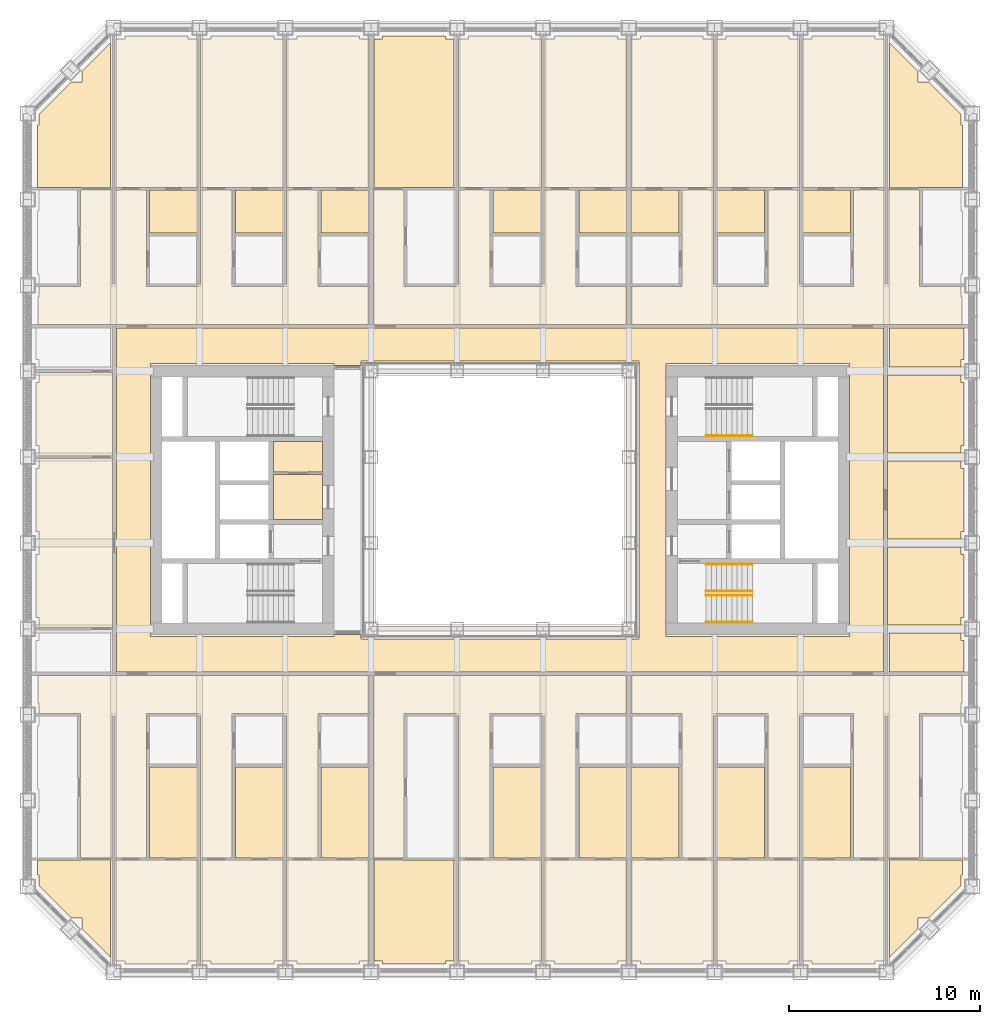
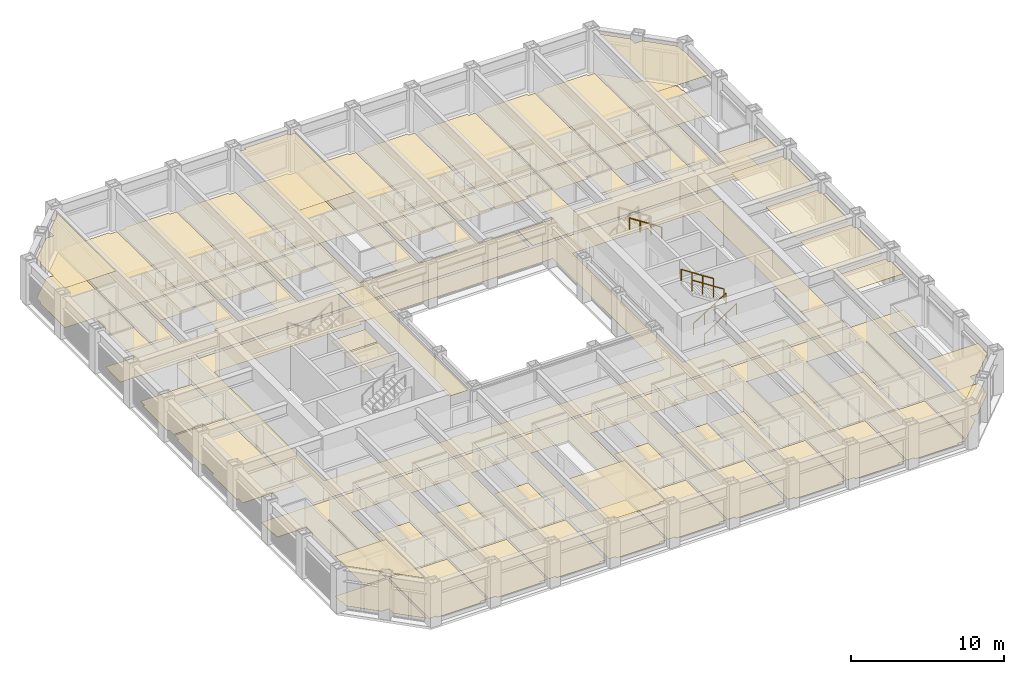
# One storey, part 20 of 21: 5 railings, 4 coverings.
"""IFC4 building model written with IfcOpenShell, lengths in metres."""

import ifcopenshell
import ifcopenshell.guid

model = None  # the IFC model being written
_history = None  # IfcOwnerHistory: only IFC2X3 demands one
_inside = {}  # id of a spatial element -> (the spatial element, [elements in it])
_under = {}  # id of a project, library or spatial element -> (it, [spatial elements below it])
_declared = {}  # id of a project -> (the project, [libraries it declares])
_typed = {}  # id of a type object -> (the type object, [elements of that type])
_made_of = {}  # id of a material, layer set ... -> (it, [elements and type objects made of it])


def new_model(schema):
    """Start an empty IFC model of exactly this schema.

    Asked for "IFC4X3", IfcOpenShell would pick the latest addendum, in which some entities
    have other attributes; the version numbers below select the first issue.
    IFC2X3 requires an IfcOwnerHistory on every rooted entity: one is made here for all.
    """
    global model, _history
    if schema == "IFC4X3":
        model = ifcopenshell.file(schema_version=(4, 3, 0, 0))
    else:
        model = ifcopenshell.file(schema=schema)
    _inside.clear()
    _under.clear()
    _declared.clear()
    _typed.clear()
    _made_of.clear()
    _history = None
    if model.schema == "IFC2X3":
        org = make("IfcOrganization", Name="unknown")
        user = make(
            "IfcPersonAndOrganization",
            ThePerson=make("IfcPerson", FamilyName="unknown"),
            TheOrganization=org,
        )
        app = make(
            "IfcApplication",
            ApplicationDeveloper=org,
            Version="unknown",
            ApplicationFullName="unknown",
            ApplicationIdentifier="unknown",
        )
        _history = make(
            "IfcOwnerHistory",
            OwningUser=user,
            OwningApplication=app,
            ChangeAction="ADDED",
            CreationDate=0,
        )
    return model


def make(cls, **values):
    """One entity of the class cls with the attributes given. An attribute that is None is left unset."""
    return model.create_entity(
        cls, **{name: value for name, value in values.items() if value is not None}
    )


def rooted(cls, **values):
    """An entity with a GlobalId (a new one), such as an element, a storey or a relation."""
    return make(cls, GlobalId=ifcopenshell.guid.new(), OwnerHistory=_history, **values)


def si_unit(unit_type, name, prefix=None):
    """IfcSIUnit, for example si_unit("LENGTHUNIT", "METRE", prefix="MILLI")."""
    return make("IfcSIUnit", UnitType=unit_type, Prefix=prefix, Name=name)


def assignment(units):
    """IfcUnitAssignment: the units of a project."""
    return None if units is None else make("IfcUnitAssignment", Units=units)


def point(xyz):
    """IfcCartesianPoint."""
    return None if xyz is None else make("IfcCartesianPoint", Coordinates=xyz)


def direction(xyz):
    """IfcDirection."""
    return None if xyz is None else make("IfcDirection", DirectionRatios=xyz)


def frame(location, z_axis=None, x_axis=None):
    """IfcAxis2Placement3D, a coordinate frame: its origin and axes. An axis left out is left unset."""
    return make(
        "IfcAxis2Placement3D",
        Location=point(location),
        Axis=direction(z_axis),
        RefDirection=direction(x_axis),
    )


def frame_2d(location, x_axis=None):
    """IfcAxis2Placement2D, a coordinate frame in the plane: its origin and x axis."""
    return make(
        "IfcAxis2Placement2D", Location=point(location), RefDirection=direction(x_axis)
    )


def origin():
    """The frame at (0, 0, 0) with its axes left unset."""
    return frame((0.0, 0.0, 0.0))


def origin_2d():
    """The frame at (0, 0) in the plane with its x axis left unset."""
    return frame_2d((0.0, 0.0))


def place(relative_to, where):
    """IfcLocalPlacement: puts the frame where relative to a parent placement (None: the world)."""
    return make(
        "IfcLocalPlacement", PlacementRelTo=relative_to, RelativePlacement=where
    )


def context(
    kind, dimensions, precision=None, world=None, true_north=None, identifier=None
):
    """IfcGeometricRepresentationContext, for example the 3D "Model" context."""
    return make(
        "IfcGeometricRepresentationContext",
        ContextIdentifier=identifier,
        ContextType=kind,
        CoordinateSpaceDimension=dimensions,
        Precision=precision,
        WorldCoordinateSystem=world,
        TrueNorth=true_north,
    )


def subcontext(parent, identifier, kind, view, scale=None):
    """IfcGeometricRepresentationSubContext, for example "Body" below "Model"."""
    return make(
        "IfcGeometricRepresentationSubContext",
        ContextIdentifier=identifier,
        ContextType=kind,
        ParentContext=parent,
        TargetScale=scale,
        TargetView=view,
    )


def project(units=None, contexts=None):
    """IfcProject with its units and contexts."""
    return rooted(
        "IfcProject",
        Name="project",
        RepresentationContexts=contexts,
        UnitsInContext=assignment(units),
    )


def spatial(cls, under=None, at=None, **own):
    """A site, building, storey or space (cls), placed at a placement, below another one or the project."""
    s = rooted(cls, ObjectPlacement=at, **own)
    if under is not None:
        _under.setdefault(under.id(), (under, []))[1].append(s)
    return s


def point_list(points):
    """IfcCartesianPointList2D or 3D."""
    cls = (
        "IfcCartesianPointList2D" if len(points[0]) == 2 else "IfcCartesianPointList3D"
    )
    return make(cls, CoordList=points)


def line(*indices):
    """IfcLineIndex: a straight run through numbered points of an indexed curve."""
    return model.create_entity("IfcLineIndex", indices)


def indexed_curve(points, segments=None, self_intersect=None):
    """IfcIndexedPolyCurve: lines and arcs through numbered points (the first is 1)."""
    return make(
        "IfcIndexedPolyCurve",
        Points=point_list(points),
        Segments=segments,
        SelfIntersect=self_intersect,
    )


def profile(cls, at=None, kind="AREA", **sizes):
    """A parametric profile (cls). Its sizes go by their IFC names, for example OverallWidth=200.0."""
    return make(cls, ProfileType=kind, Position=at, **sizes)


def circle(**sizes):
    """IfcCircleProfileDef."""
    return profile("IfcCircleProfileDef", **sizes)


def outline(outer, holes=None, kind="AREA"):
    """IfcArbitraryClosedProfileDef: a profile drawn as a closed curve; with holes, ...WithVoids."""
    if holes is None:
        return make("IfcArbitraryClosedProfileDef", ProfileType=kind, OuterCurve=outer)
    return make(
        "IfcArbitraryProfileDefWithVoids",
        ProfileType=kind,
        OuterCurve=outer,
        InnerCurves=holes,
    )


def extrude(swept, where, along, depth):
    """IfcExtrudedAreaSolid: the profile swept, set in the frame where, extruded along a direction by depth."""
    return make(
        "IfcExtrudedAreaSolid",
        SweptArea=swept,
        Position=where,
        ExtrudedDirection=direction(along),
        Depth=depth,
    )


def shape(context_of_items, identifier, shape_type, items):
    """IfcShapeRepresentation: the items that make up one representation, for example the "Body"."""
    return make(
        "IfcShapeRepresentation",
        ContextOfItems=context_of_items,
        RepresentationIdentifier=identifier,
        RepresentationType=shape_type,
        Items=items,
    )


def material(Name=None, Category=None):
    """IfcMaterial."""
    return make("IfcMaterial", Name=Name, Category=Category)


def layer(
    of_material, thickness, ventilated=None, Name=None, Category=None, Priority=None
):
    """IfcMaterialLayer: one layer of a wall or slab, of a material (None: an air gap)."""
    return make(
        "IfcMaterialLayer",
        Material=of_material,
        LayerThickness=thickness,
        IsVentilated=ventilated,
        Name=Name,
        Category=Category,
        Priority=Priority,
    )


def layer_set(layers, Name=None):
    """IfcMaterialLayerSet."""
    return make("IfcMaterialLayerSet", MaterialLayers=layers, LayerSetName=Name)


def made_of(thing, what):
    """Note that an element or type object is made of a material, layer set ...; save() writes the relation."""
    if what is not None:
        _made_of.setdefault(what.id(), (what, []))[1].append(thing)
    return thing


def type_object(cls, material=None, **own):
    """A type object (cls), such as IfcWallType, which elements share."""
    return made_of(rooted(cls, **own), material)


def element(
    cls,
    number,
    at=None,
    inside=None,
    cuts=None,
    type_object=None,
    material=None,
    context=None,
    identifier="Body",
    shape_type=None,
    held_by="IfcProductDefinitionShape",
    body=None,
    shapes=None,
    **own,
):
    """One element of the class cls, such as IfcWall. Its Tag is "e" and its number.

    at: its placement. inside: the storey or other place that contains it. cuts: it is an
    opening in that element (IfcRelVoidsElement). A single representation is given by context,
    identifier, shape_type and body (its items); several are given by shapes. held_by: the class
    of the entity that holds the representations. save() writes the other relations.
    """
    e = rooted(cls, Tag="e%d" % number, ObjectPlacement=at, **own)
    if body is not None:
        shapes = [shape(context, identifier, shape_type, body)]
    if shapes is not None:
        e.Representation = make(held_by, Representations=shapes)
    if inside is not None:
        _inside.setdefault(inside.id(), (inside, []))[1].append(e)
    if cuts is not None:
        rooted(
            "IfcRelVoidsElement", RelatingBuildingElement=cuts, RelatedOpeningElement=e
        )
    if type_object is not None:
        _typed.setdefault(type_object.id(), (type_object, []))[1].append(e)
    return made_of(e, material)


def aggregate(whole, parts):
    """IfcRelAggregates: a whole, such as a stair, and the parts it consists of."""
    return rooted("IfcRelAggregates", RelatingObject=whole, RelatedObjects=parts)


def save(model, path):
    """Write the relations noted so far, then the file.

    IfcRelAggregates (storeys below a building ...), IfcRelContainedInSpatialStructure (elements
    in a storey), IfcRelDefinesByType, IfcRelAssociatesMaterial and IfcRelDeclares: one each for
    every whole, place, type object, material and project.
    """
    for whole, parts in _under.values():
        aggregate(whole, parts)
    for where, things in _inside.values():
        rooted(
            "IfcRelContainedInSpatialStructure",
            RelatedElements=things,
            RelatingStructure=where,
        )
    for kind, things in _typed.values():
        rooted("IfcRelDefinesByType", RelatedObjects=things, RelatingType=kind)
    for what, things in _made_of.values():
        rooted("IfcRelAssociatesMaterial", RelatedObjects=things, RelatingMaterial=what)
    for by, libraries in _declared.values():
        rooted("IfcRelDeclares", RelatingContext=by, RelatedDefinitions=libraries)
    model.write(path)


model = new_model("IFC4")

# Units and contexts
model_context = context("Model", 3, precision=1e-05, world=origin(), true_north=direction((0.0, 1.0)))
body_context = subcontext(model_context, "Body", "Model", "MODEL_VIEW")
ifc_project = project(units=[si_unit("LENGTHUNIT", "METRE"), si_unit("AREAUNIT", "SQUARE_METRE"), si_unit("VOLUMEUNIT", "CUBIC_METRE"), si_unit("PLANEANGLEUNIT", "RADIAN"), si_unit("MASSUNIT", "GRAM", prefix="KILO")], contexts=[model_context])

# Site, building, storey
site_placement = place(None, origin())
site = spatial("IfcSite", under=ifc_project, at=site_placement, CompositionType="ELEMENT")
building_placement = place(site_placement, origin())
building = spatial("IfcBuilding", under=site, at=building_placement, Name="Msasa Ring Tower", CompositionType="ELEMENT")
storey_placement = place(building_placement, frame((0.0, 0.0, 89.5)))
storey = spatial("IfcBuildingStorey", under=building, at=storey_placement, Name="L23", CompositionType="ELEMENT", Elevation=89.5)

# Coverings
ifc_material_1 = material(Name="Gypsum plasterboard on a steel suspension grid", Category="steel")
ifc_layer_1 = layer(ifc_material_1, 0.014892578125)
ifc_layer_set_1 = layer_set([ifc_layer_1], Name="C1 SUSPENDED PLASTERBOARD CEILING 15")
covering_type_1 = type_object("IfcCoveringType", Name="C1 SUSPENDED PLASTERBOARD CEILING 15", PredefinedType="CEILING", material=ifc_layer_set_1)
covering_1_placement = place(storey_placement, frame((0.0, 0.0, 3.175048828125)))
element("IfcCovering", 1, at=covering_1_placement, inside=storey, type_object=covering_type_1, Name="Suspended Plasterboard Ceiling 15 public rooms L23", PredefinedType="CEILING", context=body_context, shape_type="SweptSolid", body=[
    extrude(outline(indexed_curve([(-24.23193359375, -18.867919921875), (-20.404296875, -18.867919921875), (-20.404296875, -23.95849609375), (-21.8994140625, -22.46337890625), (-21.8994140625, -21.8994140625), (-22.46337890625, -21.8994140625), (-24.1494140625, -20.21337890625), (-24.1494140625, -19.6494140625), (-24.23193359375, -19.6494140625)], segments=[line(1, 2, 3, 4, 5, 6, 7, 8, 9, 1)], self_intersect=False)), origin(), (0.0, 0.0, 1.0), 0.014892578125),
    extrude(outline(indexed_curve([(-24.23193359375, 16.367919921875), (-24.23193359375, 19.6494140625), (-24.1494140625, 19.6494140625), (-24.1494140625, 20.21337890625), (-22.46337890625, 21.8994140625), (-21.8994140625, 21.8994140625), (-21.8994140625, 22.46337890625), (-20.404296875, 23.95849609375), (-20.404296875, 16.367919921875)], segments=[line(1, 2, 3, 4, 5, 6, 7, 8, 9, 1)], self_intersect=False)), origin(), (0.0, 0.0, 1.0), 0.014892578125),
    extrude(outline(indexed_curve([(-8.699462890625, -6.849609375), (-8.699462890625, 6.849609375), (-7.280029296875, 6.849609375), (-7.280029296875, -6.849609375)], segments=[line(1, 2, 3, 4, 1)], self_intersect=False)), origin(), (0.0, 0.0, 1.0), 0.014892578125),
    extrude(outline(indexed_curve([(-6.1494140625, -24.299560546875), (-6.1494140625, -24.1494140625), (-6.595703125, -24.1494140625), (-6.595703125, -18.867919921875), (-2.404296875, -18.867919921875), (-2.404296875, -24.1494140625), (-2.8505859375, -24.1494140625), (-2.8505859375, -24.299560546875)], segments=[line(1, 2, 3, 4, 5, 6, 7, 8, 1)], self_intersect=False)), origin(), (0.0, 0.0, 1.0), 0.014892578125),
    extrude(outline(indexed_curve([(-6.595703125, 16.367919921875), (-6.595703125, 24.1494140625), (-6.1494140625, 24.1494140625), (-6.1494140625, 24.299560546875), (-2.8505859375, 24.299560546875), (-2.8505859375, 24.1494140625), (-2.404296875, 24.1494140625), (-2.404296875, 16.367919921875)], segments=[line(1, 2, 3, 4, 5, 6, 7, 8, 1)], self_intersect=False)), origin(), (0.0, 0.0, 1.0), 0.014892578125),
    extrude(outline(indexed_curve([(24.23193359375, -18.867919921875), (24.23193359375, -19.6494140625), (24.1494140625, -19.6494140625), (24.1494140625, -20.21337890625), (22.46337890625, -21.8994140625), (21.8994140625, -21.8994140625), (21.8994140625, -22.46337890625), (20.404296875, -23.95849609375), (20.404296875, -18.867919921875)], segments=[line(1, 2, 3, 4, 5, 6, 7, 8, 9, 1)], self_intersect=False)), origin(), (0.0, 0.0, 1.0), 0.014892578125),
    extrude(outline(indexed_curve([(24.23193359375, 16.367919921875), (20.404296875, 16.367919921875), (20.404296875, 23.95849609375), (21.8994140625, 22.46337890625), (21.8994140625, 21.8994140625), (22.46337890625, 21.8994140625), (24.1494140625, 20.21337890625), (24.1494140625, 19.6494140625), (24.23193359375, 19.6494140625)], segments=[line(1, 2, 3, 4, 5, 6, 7, 8, 9, 1)], self_intersect=False)), origin(), (0.0, 0.0, 1.0), 0.014892578125),
])
ifc_material_2 = material(Name="Mineral fibre ceiling tiles on an exposed steel grid", Category="steel")
ifc_layer_2 = layer(ifc_material_2, 0.02001953125)
ifc_layer_set_2 = layer_set([ifc_layer_2], Name="C3 ACOUSTIC MINERAL FIBRE TILE CEILING 20")
covering_type_2 = type_object("IfcCoveringType", Name="C3 ACOUSTIC MINERAL FIBRE TILE CEILING 20", PredefinedType="CEILING", material=ifc_layer_set_2)
covering_2_placement = place(storey_placement, frame((0.0, 0.0, 2.699951171875)))
element("IfcCovering", 2, at=covering_2_placement, inside=storey, type_object=covering_type_2, Name="Acoustic Mineral Fibre Tile Ceiling 20 L23", PredefinedType="CEILING", context=body_context, shape_type="SweptSolid", body=[
    extrude(outline(indexed_curve([(-9.300537109375, -1.0244140625), (-11.87451171875, -1.0244140625), (-11.87451171875, 1.344482421875), (-9.300537109375, 1.344482421875)], segments=[line(1, 2, 3, 4, 1)], self_intersect=False)), origin(), (0.0, 0.0, 1.0), 0.02001953125),
    extrude(outline(indexed_curve([(-9.300537109375, 1.45556640625), (-11.87451171875, 1.45556640625), (-11.87451171875, 3.074462890625), (-9.300537109375, 3.074462890625)], segments=[line(1, 2, 3, 4, 1)], self_intersect=False)), origin(), (0.0, 0.0, 1.0), 0.02001953125),
    extrude(outline(indexed_curve([(20.300537109375, -2.460693359375), (24.1494140625, -2.460693359375), (24.1494140625, -2.8505859375), (24.299560546875, -2.8505859375), (24.299560546875, -6.1494140625), (24.1494140625, -6.1494140625), (24.1494140625, -6.539306640625), (20.300537109375, -6.539306640625)], segments=[line(1, 2, 3, 4, 5, 6, 7, 8, 1)], self_intersect=False)), origin(), (0.0, 0.0, 1.0), 0.02001953125),
    extrude(outline(indexed_curve([(20.300537109375, 2.039306640625), (24.1494140625, 2.039306640625), (24.1494140625, 1.6494140625), (24.299560546875, 1.6494140625), (24.299560546875, -1.6494140625), (24.1494140625, -1.6494140625), (24.1494140625, -2.039306640625), (20.300537109375, -2.039306640625)], segments=[line(1, 2, 3, 4, 5, 6, 7, 8, 1)], self_intersect=False)), origin(), (0.0, 0.0, 1.0), 0.02001953125),
    extrude(outline(indexed_curve([(20.300537109375, 6.539306640625), (24.1494140625, 6.539306640625), (24.1494140625, 6.1494140625), (24.299560546875, 6.1494140625), (24.299560546875, 2.8505859375), (24.1494140625, 2.8505859375), (24.1494140625, 2.460693359375), (20.300537109375, 2.460693359375)], segments=[line(1, 2, 3, 4, 5, 6, 7, 8, 1)], self_intersect=False)), origin(), (0.0, 0.0, 1.0), 0.02001953125),
    extrude(outline(indexed_curve([(24.299560546875, -8.99951171875), (20.404296875, -8.99951171875), (20.404296875, -6.960693359375), (24.1494140625, -6.960693359375), (24.1494140625, -7.3505859375), (24.299560546875, -7.3505859375)], segments=[line(1, 2, 3, 4, 5, 6, 1)], self_intersect=False)), origin(), (0.0, 0.0, 1.0), 0.02001953125),
    extrude(outline(indexed_curve([(24.299560546875, 8.99951171875), (24.299560546875, 7.3505859375), (24.1494140625, 7.3505859375), (24.1494140625, 6.960693359375), (20.404296875, 6.960693359375), (20.404296875, 8.99951171875)], segments=[line(1, 2, 3, 4, 5, 6, 1)], self_intersect=False)), origin(), (0.0, 0.0, 1.0), 0.02001953125),
])
ifc_material_3 = material(Name="Wool-blend carpet on felt underlay", Category="textile")
ifc_layer_3 = layer(ifc_material_3, 0.011962890625)
ifc_layer_set_3 = layer_set([ifc_layer_3], Name="F2 CARPET ON UNDERLAY 12")
covering_type_3 = type_object("IfcCoveringType", Name="F2 CARPET ON UNDERLAY 12", PredefinedType="FLOORING", material=ifc_layer_set_3)
covering_3_placement = place(storey_placement, origin())
element("IfcCovering", 3, at=covering_3_placement, inside=storey, type_object=covering_type_3, Name="Carpet On Underlay 12 L23", PredefinedType="FLOORING", context=body_context, shape_type="SweptSolid", body=[
    extrude(outline(indexed_curve([(-20.318115234375, -24.044921875), (-21.8994140625, -22.46337890625), (-21.8994140625, -21.8994140625), (-22.46337890625, -21.8994140625), (-24.1494140625, -20.21337890625), (-24.1494140625, -19.6494140625), (-24.23193359375, -19.6494140625), (-24.23193359375, -18.87548828125), (-20.318115234375, -18.87548828125)], segments=[line(1, 2, 3, 4, 5, 6, 7, 8, 9, 1)], self_intersect=False)), origin(), (0.0, 0.0, 1.0), 0.011962890625),
    extrude(outline(indexed_curve([(-22.46337890625, 21.8994140625), (-21.8994140625, 21.8994140625), (-21.8994140625, 22.46337890625), (-20.318115234375, 24.044921875), (-20.318115234375, 16.37548828125), (-24.23193359375, 16.37548828125), (-24.23193359375, 19.6494140625), (-24.1494140625, 19.6494140625), (-24.1494140625, 20.21337890625)], segments=[line(1, 2, 3, 4, 5, 6, 7, 8, 9, 1)], self_intersect=False)), origin(), (0.0, 0.0, 1.0), 0.011962890625),
    extrude(outline(indexed_curve([(-20.099609375, -8.99951171875), (-20.099609375, 8.99951171875), (20.099609375, 8.99951171875), (20.099609375, -8.99951171875)], segments=[line(1, 2, 3, 4, 1)], self_intersect=False), holes=[indexed_curve([(8.699462890625, -7.150390625), (18.300537109375, -7.150390625), (18.300537109375, 7.150390625), (8.699462890625, 7.150390625)], segments=[line(1, 2, 3, 4, 1)], self_intersect=False), indexed_curve([(-8.699462890625, 7.150390625), (-18.300537109375, 7.150390625), (-18.300537109375, -7.150390625), (-8.699462890625, -7.150390625), (-8.699462890625, -7.050537109375), (-7.280029296875, -7.050537109375), (-7.275390625, -7.275390625), (-7.22998046875, -7.280029296875), (7.275390625, -7.275390625), (7.275390625, 7.275390625), (-7.22998046875, 7.280029296875), (-7.275390625, 7.275390625), (-7.280029296875, 7.050537109375), (-8.699462890625, 7.050537109375)], segments=[line(1, 2, 3, 4, 5, 6, 7, 8, 9, 10, 11, 12, 13, 14, 1)], self_intersect=False)]), origin(), (0.0, 0.0, 1.0), 0.011962890625),
    extrude(outline(indexed_curve([(-15.818115234375, -13.992919921875), (-15.818115234375, -18.74951171875), (-18.369384765625, -18.74951171875), (-18.369384765625, -13.992919921875)], segments=[line(1, 2, 3, 4, 1)], self_intersect=False)), origin(), (0.0, 0.0, 1.0), 0.011962890625),
    extrude(outline(indexed_curve([(-15.818115234375, 13.992919921875), (-18.369384765625, 13.992919921875), (-18.369384765625, 16.24951171875), (-15.818115234375, 16.24951171875)], segments=[line(1, 2, 3, 4, 1)], self_intersect=False)), origin(), (0.0, 0.0, 1.0), 0.011962890625),
    extrude(outline(indexed_curve([(-11.318115234375, -18.74951171875), (-13.869384765625, -18.74951171875), (-13.869384765625, -13.992919921875), (-11.318115234375, -13.992919921875)], segments=[line(1, 2, 3, 4, 1)], self_intersect=False)), origin(), (0.0, 0.0, 1.0), 0.011962890625),
    extrude(outline(indexed_curve([(-11.318115234375, 13.992919921875), (-13.869384765625, 13.992919921875), (-13.869384765625, 16.24951171875), (-11.318115234375, 16.24951171875)], segments=[line(1, 2, 3, 4, 1)], self_intersect=False)), origin(), (0.0, 0.0, 1.0), 0.011962890625),
    extrude(outline(indexed_curve([(-9.369384765625, -13.992919921875), (-6.87548828125, -13.992919921875), (-6.87548828125, -18.74951171875), (-9.369384765625, -18.74951171875)], segments=[line(1, 2, 3, 4, 1)], self_intersect=False)), origin(), (0.0, 0.0, 1.0), 0.011962890625),
    extrude(outline(indexed_curve([(-9.369384765625, 13.992919921875), (-9.369384765625, 16.24951171875), (-6.87548828125, 16.24951171875), (-6.87548828125, 13.992919921875)], segments=[line(1, 2, 3, 4, 1)], self_intersect=False)), origin(), (0.0, 0.0, 1.0), 0.011962890625),
    extrude(outline(indexed_curve([(-2.318115234375, -24.1494140625), (-2.8505859375, -24.1494140625), (-2.8505859375, -24.299560546875), (-6.1494140625, -24.299560546875), (-6.1494140625, -24.1494140625), (-6.62451171875, -24.1494140625), (-6.62451171875, -18.87548828125), (-2.318115234375, -18.87548828125)], segments=[line(1, 2, 3, 4, 5, 6, 7, 8, 1)], self_intersect=False)), origin(), (0.0, 0.0, 1.0), 0.011962890625),
    extrude(outline(indexed_curve([(-2.8505859375, 24.299560546875), (-2.8505859375, 24.1494140625), (-2.318115234375, 24.1494140625), (-2.318115234375, 16.37548828125), (-6.62451171875, 16.37548828125), (-6.62451171875, 24.1494140625), (-6.1494140625, 24.1494140625), (-6.1494140625, 24.299560546875)], segments=[line(1, 2, 3, 4, 5, 6, 7, 8, 1)], self_intersect=False)), origin(), (0.0, 0.0, 1.0), 0.011962890625),
    extrude(outline(indexed_curve([(2.181884765625, -18.74951171875), (-0.369384765625, -18.74951171875), (-0.369384765625, -13.992919921875), (2.181884765625, -13.992919921875)], segments=[line(1, 2, 3, 4, 1)], self_intersect=False)), origin(), (0.0, 0.0, 1.0), 0.011962890625),
    extrude(outline(indexed_curve([(2.181884765625, 13.992919921875), (-0.369384765625, 13.992919921875), (-0.369384765625, 16.24951171875), (2.181884765625, 16.24951171875)], segments=[line(1, 2, 3, 4, 1)], self_intersect=False)), origin(), (0.0, 0.0, 1.0), 0.011962890625),
    extrude(outline(indexed_curve([(6.62451171875, -13.992919921875), (6.62451171875, -18.74951171875), (4.130615234375, -18.74951171875), (4.130615234375, -13.992919921875)], segments=[line(1, 2, 3, 4, 1)], self_intersect=False)), origin(), (0.0, 0.0, 1.0), 0.011962890625),
    extrude(outline(indexed_curve([(4.130615234375, 13.992919921875), (4.130615234375, 16.24951171875), (6.62451171875, 16.24951171875), (6.62451171875, 13.992919921875)], segments=[line(1, 2, 3, 4, 1)], self_intersect=False)), origin(), (0.0, 0.0, 1.0), 0.011962890625),
    extrude(outline(indexed_curve([(9.369384765625, -18.74951171875), (6.87548828125, -18.74951171875), (6.87548828125, -13.992919921875), (9.369384765625, -13.992919921875)], segments=[line(1, 2, 3, 4, 1)], self_intersect=False)), origin(), (0.0, 0.0, 1.0), 0.011962890625),
    extrude(outline(indexed_curve([(9.369384765625, 13.992919921875), (6.87548828125, 13.992919921875), (6.87548828125, 16.24951171875), (9.369384765625, 16.24951171875)], segments=[line(1, 2, 3, 4, 1)], self_intersect=False)), origin(), (0.0, 0.0, 1.0), 0.011962890625),
    extrude(outline(indexed_curve([(13.869384765625, -18.74951171875), (11.318115234375, -18.74951171875), (11.318115234375, -13.992919921875), (13.869384765625, -13.992919921875)], segments=[line(1, 2, 3, 4, 1)], self_intersect=False)), origin(), (0.0, 0.0, 1.0), 0.011962890625),
    extrude(outline(indexed_curve([(13.869384765625, 13.992919921875), (11.318115234375, 13.992919921875), (11.318115234375, 16.24951171875), (13.869384765625, 16.24951171875)], segments=[line(1, 2, 3, 4, 1)], self_intersect=False)), origin(), (0.0, 0.0, 1.0), 0.011962890625),
    extrude(outline(indexed_curve([(18.369384765625, -13.992919921875), (18.369384765625, -18.74951171875), (15.818115234375, -18.74951171875), (15.818115234375, -13.992919921875)], segments=[line(1, 2, 3, 4, 1)], self_intersect=False)), origin(), (0.0, 0.0, 1.0), 0.011962890625),
    extrude(outline(indexed_curve([(18.369384765625, 13.992919921875), (15.818115234375, 13.992919921875), (15.818115234375, 16.24951171875), (18.369384765625, 16.24951171875)], segments=[line(1, 2, 3, 4, 1)], self_intersect=False)), origin(), (0.0, 0.0, 1.0), 0.011962890625),
    extrude(outline(indexed_curve([(22.46337890625, -21.8994140625), (21.8994140625, -21.8994140625), (21.8994140625, -22.46337890625), (20.318115234375, -24.044921875), (20.318115234375, -18.87548828125), (24.23193359375, -18.87548828125), (24.23193359375, -19.6494140625), (24.1494140625, -19.6494140625), (24.1494140625, -20.21337890625)], segments=[line(1, 2, 3, 4, 5, 6, 7, 8, 9, 1)], self_intersect=False)), origin(), (0.0, 0.0, 1.0), 0.011962890625),
    extrude(outline(indexed_curve([(21.8994140625, 22.46337890625), (21.8994140625, 21.8994140625), (22.46337890625, 21.8994140625), (24.1494140625, 20.21337890625), (24.1494140625, 19.6494140625), (24.23193359375, 19.6494140625), (24.23193359375, 16.37548828125), (20.318115234375, 16.37548828125), (20.318115234375, 24.044921875)], segments=[line(1, 2, 3, 4, 5, 6, 7, 8, 9, 1)], self_intersect=False)), origin(), (0.0, 0.0, 1.0), 0.011962890625),
])
ifc_material_4 = material(Name="Engineered oak boards on an acoustic underlay", Category="wood")
ifc_layer_4 = layer(ifc_material_4, 0.01806640625)
ifc_layer_set_4 = layer_set([ifc_layer_4], Name="F3 ENGINEERED TIMBER ON ACOUSTIC UNDERLAY 18")
covering_type_4 = type_object("IfcCoveringType", Name="F3 ENGINEERED TIMBER ON ACOUSTIC UNDERLAY 18", PredefinedType="FLOORING", material=ifc_layer_set_4)
covering_4_placement = place(storey_placement, origin())
element("IfcCovering", 4, at=covering_4_placement, inside=storey, type_object=covering_type_4, Name="Engineered Timber On Acoustic Underlay 18 L23", PredefinedType="FLOORING", context=body_context, shape_type="SweptSolid", body=[
    extrude(outline(indexed_curve([(-24.299560546875, -2.8505859375), (-24.1494140625, -2.8505859375), (-24.1494140625, -1.6494140625), (-24.299560546875, -1.6494140625), (-24.299560546875, 1.6494140625), (-24.1494140625, 1.6494140625), (-24.1494140625, 2.194580078125), (-20.300537109375, 2.194580078125), (-20.300537109375, -6.694580078125), (-24.1494140625, -6.694580078125), (-24.1494140625, -6.1494140625), (-24.299560546875, -6.1494140625)], segments=[line(1, 2, 3, 4, 5, 6, 7, 8, 9, 10, 11, 12, 1)], self_intersect=False)), origin(), (0.0, 0.0, 1.0), 0.01806640625),
    extrude(outline(indexed_curve([(-24.1494140625, 2.305419921875), (-24.1494140625, 2.8505859375), (-24.299560546875, 2.8505859375), (-24.299560546875, 6.1494140625), (-24.1494140625, 6.1494140625), (-24.1494140625, 6.66943359375), (-20.300537109375, 6.66943359375), (-20.300537109375, 2.305419921875)], segments=[line(1, 2, 3, 4, 5, 6, 7, 8, 1)], self_intersect=False)), origin(), (0.0, 0.0, 1.0), 0.01806640625),
    extrude(outline(indexed_curve([(-15.681884765625, -11.18701171875), (-18.530517578125, -11.18701171875), (-18.530517578125, -18.74951171875), (-20.181884765625, -18.74951171875), (-20.181884765625, -11.18701171875), (-20.318115234375, -11.18701171875), (-20.318115234375, -18.74951171875), (-21.969482421875, -18.74951171875), (-21.969482421875, -11.18701171875), (-24.1494140625, -11.18701171875), (-24.1494140625, -10.6494140625), (-24.199462890625, -10.6494140625), (-24.199462890625, -9.200439453125), (-6.87548828125, -9.200439453125), (-6.87548828125, -11.18701171875), (-9.530517578125, -11.18701171875), (-9.530517578125, -18.74951171875), (-11.181884765625, -18.74951171875), (-11.181884765625, -11.18701171875), (-14.030517578125, -11.18701171875), (-14.030517578125, -18.74951171875), (-15.681884765625, -18.74951171875)], segments=[line(1, 2, 3, 4, 5, 6, 7, 8, 9, 10, 11, 12, 13, 14, 15, 16, 17, 18, 19, 20, 21, 22, 1)], self_intersect=False)), origin(), (0.0, 0.0, 1.0), 0.01806640625),
    extrude(outline(indexed_curve([(-18.530517578125, 11.18701171875), (-15.681884765625, 11.18701171875), (-15.681884765625, 16.24951171875), (-14.030517578125, 16.24951171875), (-14.030517578125, 11.18701171875), (-11.181884765625, 11.18701171875), (-11.181884765625, 16.24951171875), (-9.530517578125, 16.24951171875), (-9.530517578125, 11.18701171875), (-6.87548828125, 11.18701171875), (-6.87548828125, 9.200439453125), (-24.199462890625, 9.200439453125), (-24.199462890625, 10.6494140625), (-24.1494140625, 10.6494140625), (-24.1494140625, 11.18701171875), (-21.969482421875, 11.18701171875), (-21.969482421875, 16.24951171875), (-20.318115234375, 16.24951171875), (-20.318115234375, 11.18701171875), (-20.181884765625, 11.18701171875), (-20.181884765625, 16.24951171875), (-18.530517578125, 16.24951171875)], segments=[line(1, 2, 3, 4, 5, 6, 7, 8, 9, 10, 11, 12, 13, 14, 15, 16, 17, 18, 19, 20, 21, 22, 1)], self_intersect=False)), origin(), (0.0, 0.0, 1.0), 0.01806640625),
    extrude(outline(indexed_curve([(-15.818115234375, -24.1494140625), (-16.3505859375, -24.1494140625), (-16.3505859375, -24.299560546875), (-19.6494140625, -24.299560546875), (-19.6494140625, -24.1494140625), (-20.181884765625, -24.1494140625), (-20.181884765625, -18.87548828125), (-15.818115234375, -18.87548828125)], segments=[line(1, 2, 3, 4, 5, 6, 7, 8, 1)], self_intersect=False)), origin(), (0.0, 0.0, 1.0), 0.01806640625),
    extrude(outline(indexed_curve([(-20.181884765625, 24.1494140625), (-19.6494140625, 24.1494140625), (-19.6494140625, 24.299560546875), (-16.3505859375, 24.299560546875), (-16.3505859375, 24.1494140625), (-15.818115234375, 24.1494140625), (-15.818115234375, 16.37548828125), (-20.181884765625, 16.37548828125)], segments=[line(1, 2, 3, 4, 5, 6, 7, 8, 1)], self_intersect=False)), origin(), (0.0, 0.0, 1.0), 0.01806640625),
    extrude(outline(indexed_curve([(-15.1494140625, -24.299560546875), (-15.1494140625, -24.1494140625), (-15.681884765625, -24.1494140625), (-15.681884765625, -18.87548828125), (-11.318115234375, -18.87548828125), (-11.318115234375, -24.1494140625), (-11.8505859375, -24.1494140625), (-11.8505859375, -24.299560546875)], segments=[line(1, 2, 3, 4, 5, 6, 7, 8, 1)], self_intersect=False)), origin(), (0.0, 0.0, 1.0), 0.01806640625),
    extrude(outline(indexed_curve([(-11.8505859375, 24.299560546875), (-11.8505859375, 24.1494140625), (-11.318115234375, 24.1494140625), (-11.318115234375, 16.37548828125), (-15.681884765625, 16.37548828125), (-15.681884765625, 24.1494140625), (-15.1494140625, 24.1494140625), (-15.1494140625, 24.299560546875)], segments=[line(1, 2, 3, 4, 5, 6, 7, 8, 1)], self_intersect=False)), origin(), (0.0, 0.0, 1.0), 0.01806640625),
    extrude(outline(indexed_curve([(-10.6494140625, -24.299560546875), (-10.6494140625, -24.1494140625), (-11.181884765625, -24.1494140625), (-11.181884765625, -18.87548828125), (-6.87548828125, -18.87548828125), (-6.87548828125, -24.1494140625), (-7.3505859375, -24.1494140625), (-7.3505859375, -24.299560546875)], segments=[line(1, 2, 3, 4, 5, 6, 7, 8, 1)], self_intersect=False)), origin(), (0.0, 0.0, 1.0), 0.01806640625),
    extrude(outline(indexed_curve([(-7.3505859375, 24.299560546875), (-7.3505859375, 24.1494140625), (-6.87548828125, 24.1494140625), (-6.87548828125, 16.37548828125), (-11.181884765625, 16.37548828125), (-11.181884765625, 24.1494140625), (-10.6494140625, 24.1494140625), (-10.6494140625, 24.299560546875)], segments=[line(1, 2, 3, 4, 5, 6, 7, 8, 1)], self_intersect=False)), origin(), (0.0, 0.0, 1.0), 0.01806640625),
    extrude(outline(indexed_curve([(-2.181884765625, -11.18701171875), (-5.030517578125, -11.18701171875), (-5.030517578125, -18.74951171875), (-6.62451171875, -18.74951171875), (-6.62451171875, -9.200439453125), (6.62451171875, -9.200439453125), (6.62451171875, -11.18701171875), (3.969482421875, -11.18701171875), (3.969482421875, -18.74951171875), (2.318115234375, -18.74951171875), (2.318115234375, -11.18701171875), (-0.530517578125, -11.18701171875), (-0.530517578125, -18.74951171875), (-2.181884765625, -18.74951171875)], segments=[line(1, 2, 3, 4, 5, 6, 7, 8, 9, 10, 11, 12, 13, 14, 1)], self_intersect=False)), origin(), (0.0, 0.0, 1.0), 0.01806640625),
    extrude(outline(indexed_curve([(-0.530517578125, 11.18701171875), (2.318115234375, 11.18701171875), (2.318115234375, 16.24951171875), (3.969482421875, 16.24951171875), (3.969482421875, 11.18701171875), (6.62451171875, 11.18701171875), (6.62451171875, 9.200439453125), (-6.62451171875, 9.200439453125), (-6.62451171875, 16.24951171875), (-5.030517578125, 16.24951171875), (-5.030517578125, 11.18701171875), (-2.181884765625, 11.18701171875), (-2.181884765625, 16.24951171875), (-0.530517578125, 16.24951171875)], segments=[line(1, 2, 3, 4, 5, 6, 7, 8, 9, 10, 11, 12, 13, 14, 1)], self_intersect=False)), origin(), (0.0, 0.0, 1.0), 0.01806640625),
    extrude(outline(indexed_curve([(2.181884765625, -24.1494140625), (1.6494140625, -24.1494140625), (1.6494140625, -24.299560546875), (-1.6494140625, -24.299560546875), (-1.6494140625, -24.1494140625), (-2.181884765625, -24.1494140625), (-2.181884765625, -18.87548828125), (2.181884765625, -18.87548828125)], segments=[line(1, 2, 3, 4, 5, 6, 7, 8, 1)], self_intersect=False)), origin(), (0.0, 0.0, 1.0), 0.01806640625),
    extrude(outline(indexed_curve([(1.6494140625, 24.299560546875), (1.6494140625, 24.1494140625), (2.181884765625, 24.1494140625), (2.181884765625, 16.37548828125), (-2.181884765625, 16.37548828125), (-2.181884765625, 24.1494140625), (-1.6494140625, 24.1494140625), (-1.6494140625, 24.299560546875)], segments=[line(1, 2, 3, 4, 5, 6, 7, 8, 1)], self_intersect=False)), origin(), (0.0, 0.0, 1.0), 0.01806640625),
    extrude(outline(indexed_curve([(2.8505859375, -24.299560546875), (2.8505859375, -24.1494140625), (2.318115234375, -24.1494140625), (2.318115234375, -18.87548828125), (6.62451171875, -18.87548828125), (6.62451171875, -24.1494140625), (6.1494140625, -24.1494140625), (6.1494140625, -24.299560546875)], segments=[line(1, 2, 3, 4, 5, 6, 7, 8, 1)], self_intersect=False)), origin(), (0.0, 0.0, 1.0), 0.01806640625),
    extrude(outline(indexed_curve([(6.1494140625, 24.299560546875), (6.1494140625, 24.1494140625), (6.62451171875, 24.1494140625), (6.62451171875, 16.37548828125), (2.318115234375, 16.37548828125), (2.318115234375, 24.1494140625), (2.8505859375, 24.1494140625), (2.8505859375, 24.299560546875)], segments=[line(1, 2, 3, 4, 5, 6, 7, 8, 1)], self_intersect=False)), origin(), (0.0, 0.0, 1.0), 0.01806640625),
    extrude(outline(indexed_curve([(7.3505859375, -24.299560546875), (7.3505859375, -24.1494140625), (6.87548828125, -24.1494140625), (6.87548828125, -18.87548828125), (11.181884765625, -18.87548828125), (11.181884765625, -24.1494140625), (10.6494140625, -24.1494140625), (10.6494140625, -24.299560546875)], segments=[line(1, 2, 3, 4, 5, 6, 7, 8, 1)], self_intersect=False)), origin(), (0.0, 0.0, 1.0), 0.01806640625),
    extrude(outline(indexed_curve([(18.530517578125, -11.18701171875), (15.681884765625, -11.18701171875), (15.681884765625, -18.74951171875), (14.030517578125, -18.74951171875), (14.030517578125, -11.18701171875), (11.181884765625, -11.18701171875), (11.181884765625, -18.74951171875), (9.530517578125, -18.74951171875), (9.530517578125, -11.18701171875), (6.87548828125, -11.18701171875), (6.87548828125, -9.200439453125), (24.199462890625, -9.200439453125), (24.199462890625, -10.6494140625), (24.1494140625, -10.6494140625), (24.1494140625, -11.18701171875), (21.969482421875, -11.18701171875), (21.969482421875, -18.74951171875), (20.318115234375, -18.74951171875), (20.318115234375, -11.18701171875), (20.181884765625, -11.18701171875), (20.181884765625, -18.74951171875), (18.530517578125, -18.74951171875)], segments=[line(1, 2, 3, 4, 5, 6, 7, 8, 9, 10, 11, 12, 13, 14, 15, 16, 17, 18, 19, 20, 21, 22, 1)], self_intersect=False)), origin(), (0.0, 0.0, 1.0), 0.01806640625),
    extrude(outline(indexed_curve([(15.681884765625, 11.18701171875), (18.530517578125, 11.18701171875), (18.530517578125, 16.24951171875), (20.181884765625, 16.24951171875), (20.181884765625, 11.18701171875), (20.318115234375, 11.18701171875), (20.318115234375, 16.24951171875), (21.969482421875, 16.24951171875), (21.969482421875, 11.18701171875), (24.1494140625, 11.18701171875), (24.1494140625, 10.6494140625), (24.199462890625, 10.6494140625), (24.199462890625, 9.200439453125), (6.87548828125, 9.200439453125), (6.87548828125, 11.18701171875), (9.530517578125, 11.18701171875), (9.530517578125, 16.24951171875), (11.181884765625, 16.24951171875), (11.181884765625, 11.18701171875), (14.030517578125, 11.18701171875), (14.030517578125, 16.24951171875), (15.681884765625, 16.24951171875)], segments=[line(1, 2, 3, 4, 5, 6, 7, 8, 9, 10, 11, 12, 13, 14, 15, 16, 17, 18, 19, 20, 21, 22, 1)], self_intersect=False)), origin(), (0.0, 0.0, 1.0), 0.01806640625),
    extrude(outline(indexed_curve([(10.6494140625, 24.299560546875), (10.6494140625, 24.1494140625), (11.181884765625, 24.1494140625), (11.181884765625, 16.37548828125), (6.87548828125, 16.37548828125), (6.87548828125, 24.1494140625), (7.3505859375, 24.1494140625), (7.3505859375, 24.299560546875)], segments=[line(1, 2, 3, 4, 5, 6, 7, 8, 1)], self_intersect=False)), origin(), (0.0, 0.0, 1.0), 0.01806640625),
    extrude(outline(indexed_curve([(15.681884765625, -24.1494140625), (15.1494140625, -24.1494140625), (15.1494140625, -24.299560546875), (11.8505859375, -24.299560546875), (11.8505859375, -24.1494140625), (11.318115234375, -24.1494140625), (11.318115234375, -18.87548828125), (15.681884765625, -18.87548828125)], segments=[line(1, 2, 3, 4, 5, 6, 7, 8, 1)], self_intersect=False)), origin(), (0.0, 0.0, 1.0), 0.01806640625),
    extrude(outline(indexed_curve([(15.1494140625, 24.299560546875), (15.1494140625, 24.1494140625), (15.681884765625, 24.1494140625), (15.681884765625, 16.37548828125), (11.318115234375, 16.37548828125), (11.318115234375, 24.1494140625), (11.8505859375, 24.1494140625), (11.8505859375, 24.299560546875)], segments=[line(1, 2, 3, 4, 5, 6, 7, 8, 1)], self_intersect=False)), origin(), (0.0, 0.0, 1.0), 0.01806640625),
    extrude(outline(indexed_curve([(20.181884765625, -24.1494140625), (19.6494140625, -24.1494140625), (19.6494140625, -24.299560546875), (16.3505859375, -24.299560546875), (16.3505859375, -24.1494140625), (15.818115234375, -24.1494140625), (15.818115234375, -18.87548828125), (20.181884765625, -18.87548828125)], segments=[line(1, 2, 3, 4, 5, 6, 7, 8, 1)], self_intersect=False)), origin(), (0.0, 0.0, 1.0), 0.01806640625),
    extrude(outline(indexed_curve([(15.818115234375, 24.1494140625), (16.3505859375, 24.1494140625), (16.3505859375, 24.299560546875), (19.6494140625, 24.299560546875), (19.6494140625, 24.1494140625), (20.181884765625, 24.1494140625), (20.181884765625, 16.37548828125), (15.818115234375, 16.37548828125)], segments=[line(1, 2, 3, 4, 5, 6, 7, 8, 1)], self_intersect=False)), origin(), (0.0, 0.0, 1.0), 0.01806640625),
])

# Railings
ifc_material_5 = material(Name="Stainless steel", Category="steel")
railing_type = type_object("IfcRailingType", Name="HR1 HANDRAIL 900", PredefinedType="HANDRAIL", material=ifc_material_5)
for number, where, name in (
    (5, (10.800048828125, -6.39990234375, 0.175048828125), "Handrail stair SEA L23 1"),
    (6, (10.800048828125, -5.0, 0.175048828125), "Handrail stair SEA L23 2"),
):
    element("IfcRailing", number, at=place(storey_placement, frame(where)), inside=storey, type_object=railing_type, Name=name, PredefinedType="HANDRAIL", context=body_context, shape_type="SweptSolid", body=[
        extrude(circle(Radius=0.02392578125, at=origin_2d()), frame((0.0, 0.0, 0.8759765625), z_axis=(0.839153699163, 0.0, 0.543894354798), x_axis=(0.0, 1.0, 0.0)), (0.0, 0.0, 1.0), 2.895751953125),
        extrude(circle(Radius=0.02099609375, at=origin_2d()), origin(), (0.0, 0.0, 1.0), 0.851806640625),
        extrude(circle(Radius=0.02099609375, at=origin_2d()), frame((0.81005859375, 0.0, 0.52490234375)), (0.0, 0.0, 1.0), 0.851806640625),
        extrude(circle(Radius=0.02099609375, at=origin_2d()), frame((1.619873046875, 0.0, 1.050048828125)), (0.0, 0.0, 1.0), 0.851806640625),
        extrude(circle(Radius=0.02099609375, at=origin_2d()), frame((2.429931640625, 0.0, 1.574951171875)), (0.0, 0.0, 1.0), 0.851806640625),
    ])
for number, where, name in (
    (7, (13.22998046875, -4.77490234375, 1.925048828125), "Handrail stair SEA L23 3"),
    (8, (13.22998046875, -3.375, 1.925048828125), "Handrail stair SEA L23 4"),
    (9, (13.22998046875, 3.375, 1.925048828125), "Handrail stair SEB L23 3"),
):
    element("IfcRailing", number, at=place(storey_placement, frame(where)), inside=storey, type_object=railing_type, Name=name, PredefinedType="HANDRAIL", context=body_context, shape_type="SweptSolid", body=[
        extrude(circle(Radius=0.02392578125, at=origin_2d()), frame((0.0, 0.0, 0.8759765625), z_axis=(-0.839153699163, 0.0, 0.543894354798), x_axis=(0.0, -1.0, 0.0)), (0.0, 0.0, 1.0), 2.895751953125),
        extrude(circle(Radius=0.02099609375, at=origin_2d()), origin(), (0.0, 0.0, 1.0), 0.851806640625),
        extrude(circle(Radius=0.02099609375, at=origin_2d()), frame((-0.81005859375, 0.0, 0.52490234375)), (0.0, 0.0, 1.0), 0.851806640625),
        extrude(circle(Radius=0.02099609375, at=origin_2d()), frame((-1.619873046875, 0.0, 1.050048828125)), (0.0, 0.0, 1.0), 0.851806640625),
        extrude(circle(Radius=0.02099609375, at=origin_2d()), frame((-2.429931640625, 0.0, 1.574951171875)), (0.0, 0.0, 1.0), 0.851806640625),
    ])

save(model, "model.ifc")
